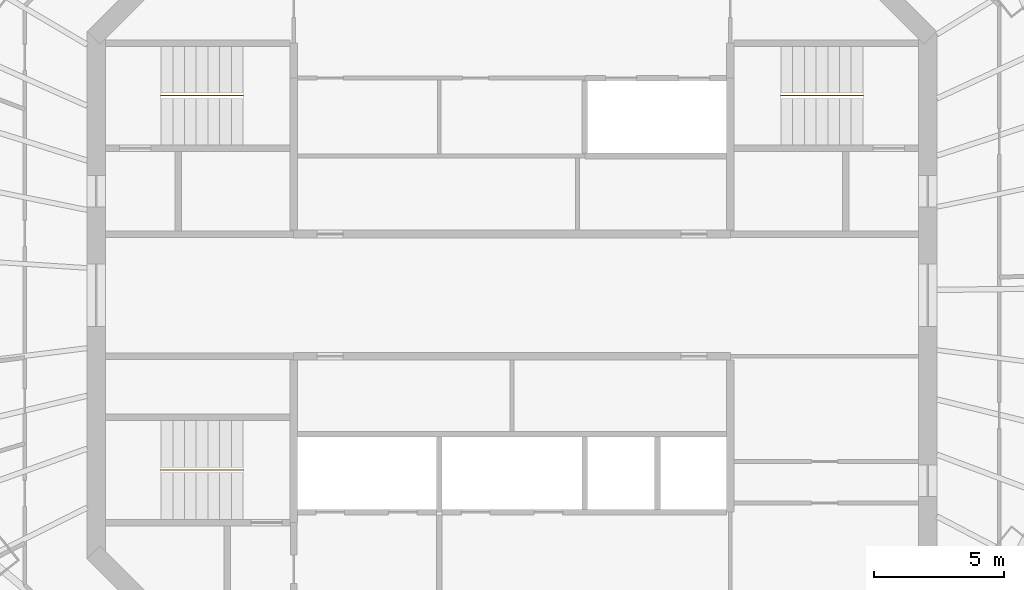
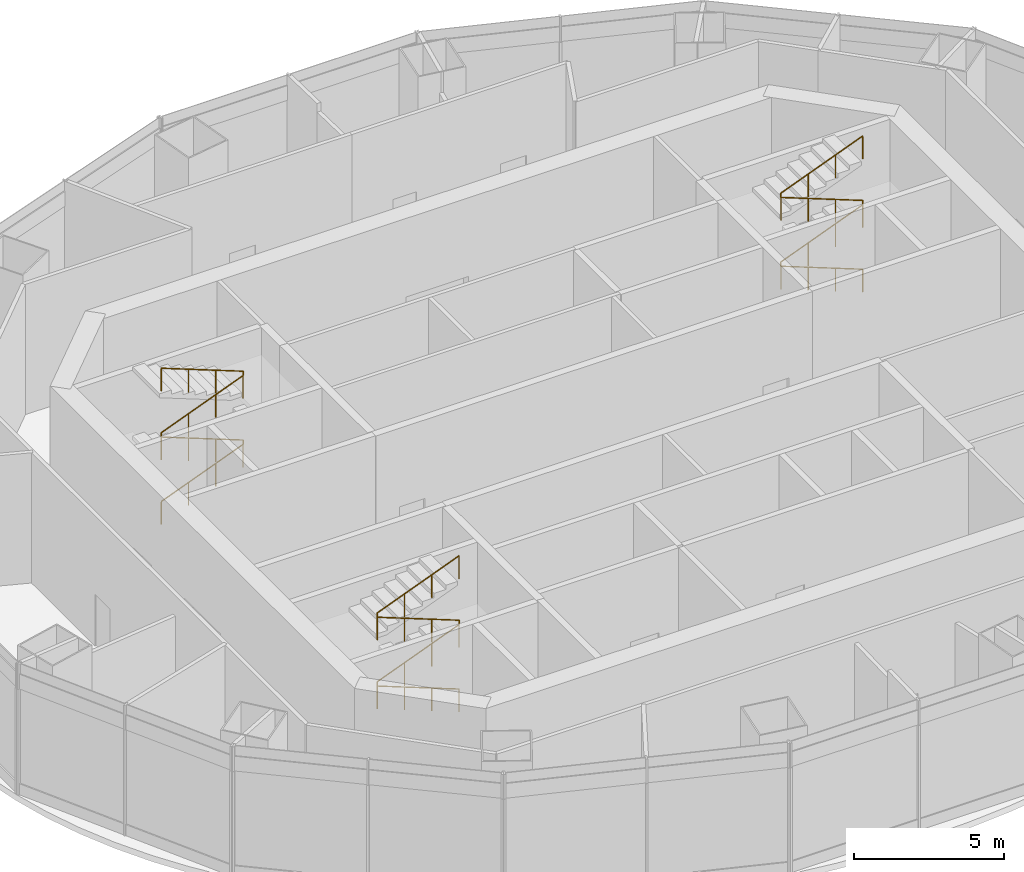
# One storey, part 13 of 13: 3 railings.
"""IFC4 building model written with IfcOpenShell, lengths in metres."""

from ifc_helpers import new_model, si_unit, direction, frame, origin, origin_2d, place, context, subcontext, project, spatial, circle, extrude, material, type_object, element, save


model = new_model("IFC4")

# Units and contexts
model_context = context("Model", 3, precision=1e-05, world=origin(), true_north=direction((0.0, 1.0)))
body_context = subcontext(model_context, "Body", "Model", "MODEL_VIEW")
ifc_project = project(units=[si_unit("LENGTHUNIT", "METRE"), si_unit("AREAUNIT", "SQUARE_METRE"), si_unit("VOLUMEUNIT", "CUBIC_METRE"), si_unit("PLANEANGLEUNIT", "RADIAN"), si_unit("MASSUNIT", "GRAM", prefix="KILO")], contexts=[model_context])

# Site, building, storey
site_placement = place(None, origin())
site = spatial("IfcSite", under=ifc_project, at=site_placement, CompositionType="ELEMENT")
building_placement = place(site_placement, origin())
building = spatial("IfcBuilding", under=site, at=building_placement, Name="Marenthal Gate Tower", CompositionType="ELEMENT")
storey_placement = place(building_placement, frame((0.0, 0.0, 401.949951171875)))
storey = spatial("IfcBuildingStorey", under=building, at=storey_placement, Name="L91", CompositionType="ELEMENT", Elevation=401.949951171875)

# Railings
ifc_material = material(Name="Stainless steel", Category="steel")
railing_type = type_object("IfcRailingType", Name="Stair handrail", PredefinedType="HANDRAIL", material=ifc_material)
railing_1_placement = place(storey_placement, frame((-13.5, 7.675048828125, 0.175048828125)))
element("IfcRailing", 1, at=railing_1_placement, inside=storey, type_object=railing_type, Name="Handrail ST1", PredefinedType="HANDRAIL", context=body_context, shape_type="SweptSolid", body=[
    extrude(circle(Radius=0.0224609375, at=origin_2d()), frame((0.0, 0.0, 0.927490234375), z_axis=(0.931991114503, 0.0, 0.362481120181), x_axis=(0.0, 1.0, 0.0)), (0.0, 0.0, 1.0), 3.379638671875),
    extrude(circle(Radius=0.0224609375, at=origin_2d()), frame((3.14990234375, 0.0, 2.152587890625), z_axis=(0.0, 0.0, 1.0), x_axis=(1.0, 0.0, 0.0)), (0.0, 0.0, 1.0), 0.1748046875),
    extrude(circle(Radius=0.0224609375, at=origin_2d()), frame((3.14990234375, 0.0, 2.327392578125), z_axis=(-0.931991114503, 0.0, 0.362481120181), x_axis=(0.0, -1.0, 0.0)), (0.0, 0.0, 1.0), 3.379638671875),
    extrude(circle(Radius=0.0224609375, at=origin_2d()), frame((0.0, 0.0, 3.552490234375), z_axis=(0.0, 0.0, 1.0), x_axis=(1.0, 0.0, 0.0)), (0.0, 0.0, 1.0), 0.175048828125),
    extrude(circle(Radius=0.0224609375, at=origin_2d()), frame((0.0, 0.0, 3.7275390625), z_axis=(0.932015516517, 0.0, 0.362418372839), x_axis=(0.0, 1.0, 0.0)), (0.0, 0.0, 1.0), 3.379638671875),
    extrude(circle(Radius=0.0224609375, at=origin_2d()), frame((3.14990234375, 0.0, 4.952392578125), z_axis=(0.0, 0.0, 1.0), x_axis=(1.0, 0.0, 0.0)), (0.0, 0.0, 1.0), 0.175048828125),
    extrude(circle(Radius=0.0224609375, at=origin_2d()), frame((3.14990234375, 0.0, 5.12744140625), z_axis=(-0.931991114503, 0.0, 0.362481120181), x_axis=(0.0, -1.0, 0.0)), (0.0, 0.0, 1.0), 3.379638671875),
    extrude(circle(Radius=0.02001953125, at=origin_2d()), origin(), (0.0, 0.0, 1.0), 0.905029296875),
    extrude(circle(Radius=0.02001953125, at=origin_2d()), frame((1.050048828125, 0.0, 0.408447265625)), (0.0, 0.0, 1.0), 0.905029296875),
    extrude(circle(Radius=0.02001953125, at=origin_2d()), frame((2.099853515625, 0.0, 0.816650390625)), (0.0, 0.0, 1.0), 0.905029296875),
    extrude(circle(Radius=0.02001953125, at=origin_2d()), frame((3.14990234375, 0.0, 1.22509765625)), (0.0, 0.0, 1.0), 0.905029296875),
    extrude(circle(Radius=0.02001953125, at=origin_2d()), frame((3.14990234375, 0.0, 1.39990234375)), (0.0, 0.0, 1.0), 0.905029296875),
    extrude(circle(Radius=0.02001953125, at=origin_2d()), frame((2.099853515625, 0.0, 1.808349609375)), (0.0, 0.0, 1.0), 0.905029296875),
    extrude(circle(Radius=0.02001953125, at=origin_2d()), frame((1.050048828125, 0.0, 2.216552734375)), (0.0, 0.0, 1.0), 0.905029296875),
    extrude(circle(Radius=0.02001953125, at=origin_2d()), frame((0.0, 0.0, 2.625)), (0.0, 0.0, 1.0), 0.905029296875),
    extrude(circle(Radius=0.02001953125, at=origin_2d()), frame((0.0, 0.0, 2.800048828125)), (0.0, 0.0, 1.0), 0.905029296875),
    extrude(circle(Radius=0.02001953125, at=origin_2d()), frame((1.050048828125, 0.0, 3.208251953125)), (0.0, 0.0, 1.0), 0.905029296875),
    extrude(circle(Radius=0.02001953125, at=origin_2d()), frame((2.099853515625, 0.0, 3.61669921875)), (0.0, 0.0, 1.0), 0.905029296875),
    extrude(circle(Radius=0.02001953125, at=origin_2d()), frame((3.14990234375, 0.0, 4.02490234375)), (0.0, 0.0, 1.0), 0.905029296875),
    extrude(circle(Radius=0.02001953125, at=origin_2d()), frame((3.14990234375, 0.0, 4.199951171875)), (0.0, 0.0, 1.0), 0.905029296875),
    extrude(circle(Radius=0.02001953125, at=origin_2d()), frame((2.099853515625, 0.0, 4.6083984375)), (0.0, 0.0, 1.0), 0.905029296875),
    extrude(circle(Radius=0.02001953125, at=origin_2d()), frame((1.050048828125, 0.0, 5.0166015625)), (0.0, 0.0, 1.0), 0.905029296875),
    extrude(circle(Radius=0.02001953125, at=origin_2d()), frame((0.0, 0.0, 5.425048828125)), (0.0, 0.0, 1.0), 0.905029296875),
])
railing_2_placement = place(storey_placement, frame((-10.35009765625, -6.72509765625, 0.175048828125)))
element("IfcRailing", 2, at=railing_2_placement, inside=storey, type_object=railing_type, Name="Handrail ST2", PredefinedType="HANDRAIL", context=body_context, shape_type="SweptSolid", body=[
    extrude(circle(Radius=0.0224609375, at=origin_2d()), frame((0.0, 0.0, 0.927490234375), z_axis=(-0.931991114503, 0.0, 0.362481120181), x_axis=(0.0, -1.0, 0.0)), (0.0, 0.0, 1.0), 3.379638671875),
    extrude(circle(Radius=0.0224609375, at=origin_2d()), frame((-3.14990234375, 0.0, 2.152587890625), z_axis=(0.0, 0.0, 1.0), x_axis=(1.0, 0.0, 0.0)), (0.0, 0.0, 1.0), 0.1748046875),
    extrude(circle(Radius=0.0224609375, at=origin_2d()), frame((-3.14990234375, 0.0, 2.327392578125), z_axis=(0.931991114503, 0.0, 0.362481120181), x_axis=(0.0, 1.0, 0.0)), (0.0, 0.0, 1.0), 3.379638671875),
    extrude(circle(Radius=0.0224609375, at=origin_2d()), frame((0.0, 0.0, 3.552490234375), z_axis=(0.0, 0.0, 1.0), x_axis=(1.0, 0.0, 0.0)), (0.0, 0.0, 1.0), 0.175048828125),
    extrude(circle(Radius=0.0224609375, at=origin_2d()), frame((0.0, 0.0, 3.7275390625), z_axis=(-0.932015516517, 0.0, 0.362418372839), x_axis=(0.0, -1.0, 0.0)), (0.0, 0.0, 1.0), 3.379638671875),
    extrude(circle(Radius=0.0224609375, at=origin_2d()), frame((-3.14990234375, 0.0, 4.952392578125), z_axis=(0.0, 0.0, 1.0), x_axis=(1.0, 0.0, 0.0)), (0.0, 0.0, 1.0), 0.175048828125),
    extrude(circle(Radius=0.0224609375, at=origin_2d()), frame((-3.14990234375, 0.0, 5.12744140625), z_axis=(0.931991114503, 0.0, 0.362481120181), x_axis=(0.0, 1.0, 0.0)), (0.0, 0.0, 1.0), 3.379638671875),
    extrude(circle(Radius=0.02001953125, at=origin_2d()), origin(), (0.0, 0.0, 1.0), 0.905029296875),
    extrude(circle(Radius=0.02001953125, at=origin_2d()), frame((-1.050048828125, 0.0, 0.408447265625)), (0.0, 0.0, 1.0), 0.905029296875),
    extrude(circle(Radius=0.02001953125, at=origin_2d()), frame((-2.099853515625, 0.0, 0.816650390625)), (0.0, 0.0, 1.0), 0.905029296875),
    extrude(circle(Radius=0.02001953125, at=origin_2d()), frame((-3.14990234375, 0.0, 1.22509765625)), (0.0, 0.0, 1.0), 0.905029296875),
    extrude(circle(Radius=0.02001953125, at=origin_2d()), frame((-3.14990234375, 0.0, 1.39990234375)), (0.0, 0.0, 1.0), 0.905029296875),
    extrude(circle(Radius=0.02001953125, at=origin_2d()), frame((-2.099853515625, 0.0, 1.808349609375)), (0.0, 0.0, 1.0), 0.905029296875),
    extrude(circle(Radius=0.02001953125, at=origin_2d()), frame((-1.050048828125, 0.0, 2.216552734375)), (0.0, 0.0, 1.0), 0.905029296875),
    extrude(circle(Radius=0.02001953125, at=origin_2d()), frame((0.0, 0.0, 2.625)), (0.0, 0.0, 1.0), 0.905029296875),
    extrude(circle(Radius=0.02001953125, at=origin_2d()), frame((0.0, 0.0, 2.800048828125)), (0.0, 0.0, 1.0), 0.905029296875),
    extrude(circle(Radius=0.02001953125, at=origin_2d()), frame((-1.050048828125, 0.0, 3.208251953125)), (0.0, 0.0, 1.0), 0.905029296875),
    extrude(circle(Radius=0.02001953125, at=origin_2d()), frame((-2.099853515625, 0.0, 3.61669921875)), (0.0, 0.0, 1.0), 0.905029296875),
    extrude(circle(Radius=0.02001953125, at=origin_2d()), frame((-3.14990234375, 0.0, 4.02490234375)), (0.0, 0.0, 1.0), 0.905029296875),
    extrude(circle(Radius=0.02001953125, at=origin_2d()), frame((-3.14990234375, 0.0, 4.199951171875)), (0.0, 0.0, 1.0), 0.905029296875),
    extrude(circle(Radius=0.02001953125, at=origin_2d()), frame((-2.099853515625, 0.0, 4.6083984375)), (0.0, 0.0, 1.0), 0.905029296875),
    extrude(circle(Radius=0.02001953125, at=origin_2d()), frame((-1.050048828125, 0.0, 5.0166015625)), (0.0, 0.0, 1.0), 0.905029296875),
    extrude(circle(Radius=0.02001953125, at=origin_2d()), frame((0.0, 0.0, 5.425048828125)), (0.0, 0.0, 1.0), 0.905029296875),
])
railing_3_placement = place(storey_placement, frame((13.5, 7.675048828125, 0.175048828125)))
element("IfcRailing", 3, at=railing_3_placement, inside=storey, type_object=railing_type, Name="Handrail ST3", PredefinedType="HANDRAIL", context=body_context, shape_type="SweptSolid", body=[
    extrude(circle(Radius=0.0224609375, at=origin_2d()), frame((0.0, 0.0, 0.927490234375), z_axis=(-0.931991114503, 0.0, 0.362481120181), x_axis=(0.0, -1.0, 0.0)), (0.0, 0.0, 1.0), 3.379638671875),
    extrude(circle(Radius=0.0224609375, at=origin_2d()), frame((-3.14990234375, 0.0, 2.152587890625), z_axis=(0.0, 0.0, 1.0), x_axis=(1.0, 0.0, 0.0)), (0.0, 0.0, 1.0), 0.1748046875),
    extrude(circle(Radius=0.0224609375, at=origin_2d()), frame((-3.14990234375, 0.0, 2.327392578125), z_axis=(0.931991114503, 0.0, 0.362481120181), x_axis=(0.0, 1.0, 0.0)), (0.0, 0.0, 1.0), 3.379638671875),
    extrude(circle(Radius=0.0224609375, at=origin_2d()), frame((0.0, 0.0, 3.552490234375), z_axis=(0.0, 0.0, 1.0), x_axis=(1.0, 0.0, 0.0)), (0.0, 0.0, 1.0), 0.175048828125),
    extrude(circle(Radius=0.0224609375, at=origin_2d()), frame((0.0, 0.0, 3.7275390625), z_axis=(-0.932015516517, 0.0, 0.362418372839), x_axis=(0.0, -1.0, 0.0)), (0.0, 0.0, 1.0), 3.379638671875),
    extrude(circle(Radius=0.0224609375, at=origin_2d()), frame((-3.14990234375, 0.0, 4.952392578125), z_axis=(0.0, 0.0, 1.0), x_axis=(1.0, 0.0, 0.0)), (0.0, 0.0, 1.0), 0.175048828125),
    extrude(circle(Radius=0.0224609375, at=origin_2d()), frame((-3.14990234375, 0.0, 5.12744140625), z_axis=(0.931991114503, 0.0, 0.362481120181), x_axis=(0.0, 1.0, 0.0)), (0.0, 0.0, 1.0), 3.379638671875),
    extrude(circle(Radius=0.02001953125, at=origin_2d()), origin(), (0.0, 0.0, 1.0), 0.905029296875),
    extrude(circle(Radius=0.02001953125, at=origin_2d()), frame((-1.050048828125, 0.0, 0.408447265625)), (0.0, 0.0, 1.0), 0.905029296875),
    extrude(circle(Radius=0.02001953125, at=origin_2d()), frame((-2.099853515625, 0.0, 0.816650390625)), (0.0, 0.0, 1.0), 0.905029296875),
    extrude(circle(Radius=0.02001953125, at=origin_2d()), frame((-3.14990234375, 0.0, 1.22509765625)), (0.0, 0.0, 1.0), 0.905029296875),
    extrude(circle(Radius=0.02001953125, at=origin_2d()), frame((-3.14990234375, 0.0, 1.39990234375)), (0.0, 0.0, 1.0), 0.905029296875),
    extrude(circle(Radius=0.02001953125, at=origin_2d()), frame((-2.099853515625, 0.0, 1.808349609375)), (0.0, 0.0, 1.0), 0.905029296875),
    extrude(circle(Radius=0.02001953125, at=origin_2d()), frame((-1.050048828125, 0.0, 2.216552734375)), (0.0, 0.0, 1.0), 0.905029296875),
    extrude(circle(Radius=0.02001953125, at=origin_2d()), frame((0.0, 0.0, 2.625)), (0.0, 0.0, 1.0), 0.905029296875),
    extrude(circle(Radius=0.02001953125, at=origin_2d()), frame((0.0, 0.0, 2.800048828125)), (0.0, 0.0, 1.0), 0.905029296875),
    extrude(circle(Radius=0.02001953125, at=origin_2d()), frame((-1.050048828125, 0.0, 3.208251953125)), (0.0, 0.0, 1.0), 0.905029296875),
    extrude(circle(Radius=0.02001953125, at=origin_2d()), frame((-2.099853515625, 0.0, 3.61669921875)), (0.0, 0.0, 1.0), 0.905029296875),
    extrude(circle(Radius=0.02001953125, at=origin_2d()), frame((-3.14990234375, 0.0, 4.02490234375)), (0.0, 0.0, 1.0), 0.905029296875),
    extrude(circle(Radius=0.02001953125, at=origin_2d()), frame((-3.14990234375, 0.0, 4.199951171875)), (0.0, 0.0, 1.0), 0.905029296875),
    extrude(circle(Radius=0.02001953125, at=origin_2d()), frame((-2.099853515625, 0.0, 4.6083984375)), (0.0, 0.0, 1.0), 0.905029296875),
    extrude(circle(Radius=0.02001953125, at=origin_2d()), frame((-1.050048828125, 0.0, 5.0166015625)), (0.0, 0.0, 1.0), 0.905029296875),
    extrude(circle(Radius=0.02001953125, at=origin_2d()), frame((0.0, 0.0, 5.425048828125)), (0.0, 0.0, 1.0), 0.905029296875),
])

save(model, "model.ifc")
